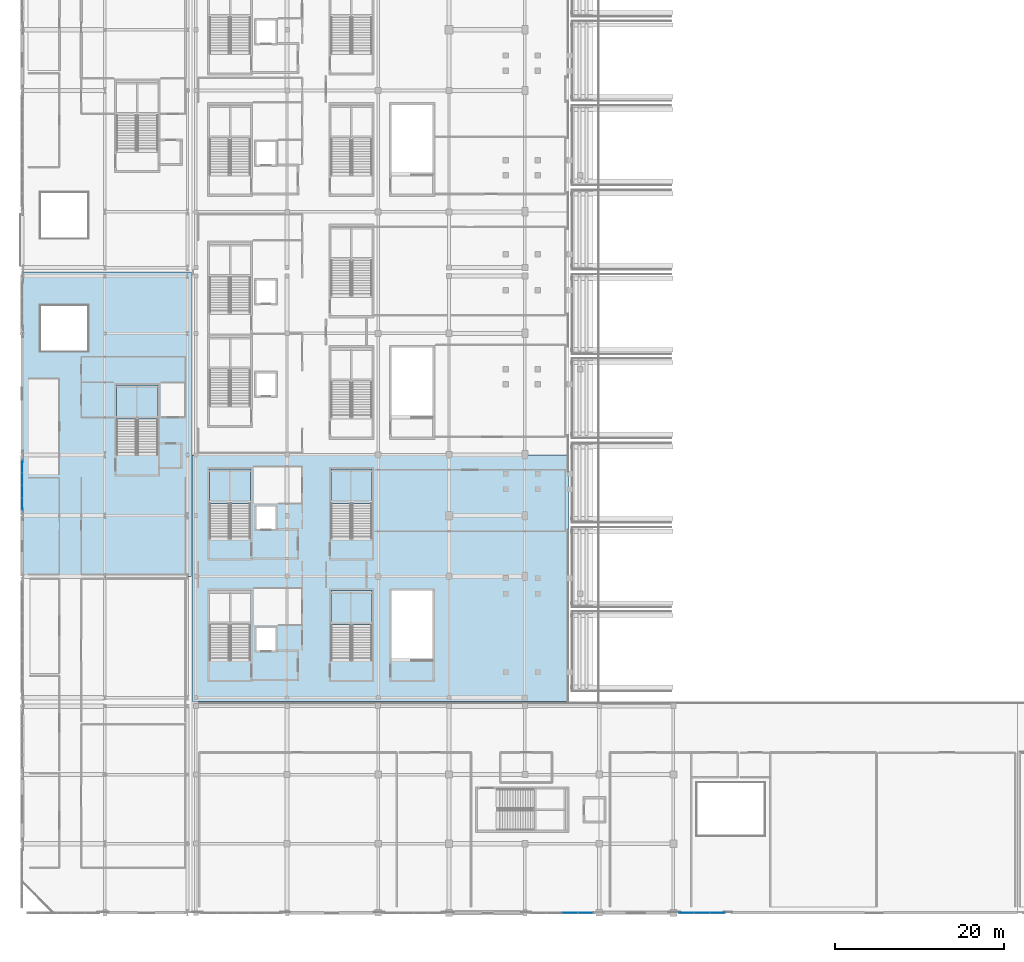
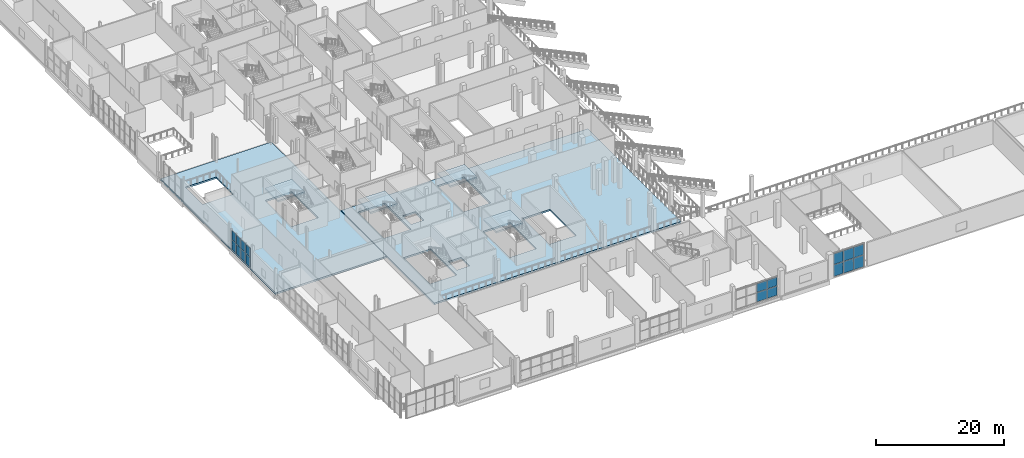
# One storey, part 60 of 129: 18 plates, 6 slabs, 7 elements without a shape of their own.
"""IFC4 building model written with IfcOpenShell, lengths in metres."""

import ifcopenshell
import ifcopenshell.guid

model = None  # the IFC model being written
_history = None  # IfcOwnerHistory: only IFC2X3 demands one
_inside = {}  # id of a spatial element -> (the spatial element, [elements in it])
_under = {}  # id of a project, library or spatial element -> (it, [spatial elements below it])
_declared = {}  # id of a project -> (the project, [libraries it declares])
_typed = {}  # id of a type object -> (the type object, [elements of that type])
_made_of = {}  # id of a material, layer set ... -> (it, [elements and type objects made of it])


def new_model(schema):
    """Start an empty IFC model of exactly this schema.

    Asked for "IFC4X3", IfcOpenShell would pick the latest addendum, in which some entities
    have other attributes; the version numbers below select the first issue.
    IFC2X3 requires an IfcOwnerHistory on every rooted entity: one is made here for all.
    """
    global model, _history
    if schema == "IFC4X3":
        model = ifcopenshell.file(schema_version=(4, 3, 0, 0))
    else:
        model = ifcopenshell.file(schema=schema)
    _inside.clear()
    _under.clear()
    _declared.clear()
    _typed.clear()
    _made_of.clear()
    _history = None
    if model.schema == "IFC2X3":
        org = make("IfcOrganization", Name="unknown")
        user = make(
            "IfcPersonAndOrganization",
            ThePerson=make("IfcPerson", FamilyName="unknown"),
            TheOrganization=org,
        )
        app = make(
            "IfcApplication",
            ApplicationDeveloper=org,
            Version="unknown",
            ApplicationFullName="unknown",
            ApplicationIdentifier="unknown",
        )
        _history = make(
            "IfcOwnerHistory",
            OwningUser=user,
            OwningApplication=app,
            ChangeAction="ADDED",
            CreationDate=0,
        )
    return model


def make(cls, **values):
    """One entity of the class cls with the attributes given. An attribute that is None is left unset."""
    return model.create_entity(
        cls, **{name: value for name, value in values.items() if value is not None}
    )


def rooted(cls, **values):
    """An entity with a GlobalId (a new one), such as an element, a storey or a relation."""
    return make(cls, GlobalId=ifcopenshell.guid.new(), OwnerHistory=_history, **values)


def si_unit(unit_type, name, prefix=None):
    """IfcSIUnit, for example si_unit("LENGTHUNIT", "METRE", prefix="MILLI")."""
    return make("IfcSIUnit", UnitType=unit_type, Prefix=prefix, Name=name)


def assignment(units):
    """IfcUnitAssignment: the units of a project."""
    return None if units is None else make("IfcUnitAssignment", Units=units)


def point(xyz):
    """IfcCartesianPoint."""
    return None if xyz is None else make("IfcCartesianPoint", Coordinates=xyz)


def direction(xyz):
    """IfcDirection."""
    return None if xyz is None else make("IfcDirection", DirectionRatios=xyz)


def frame(location, z_axis=None, x_axis=None):
    """IfcAxis2Placement3D, a coordinate frame: its origin and axes. An axis left out is left unset."""
    return make(
        "IfcAxis2Placement3D",
        Location=point(location),
        Axis=direction(z_axis),
        RefDirection=direction(x_axis),
    )


def frame_2d(location, x_axis=None):
    """IfcAxis2Placement2D, a coordinate frame in the plane: its origin and x axis."""
    return make(
        "IfcAxis2Placement2D", Location=point(location), RefDirection=direction(x_axis)
    )


def origin():
    """The frame at (0, 0, 0) with its axes left unset."""
    return frame((0.0, 0.0, 0.0))


def origin_2d():
    """The frame at (0, 0) in the plane with its x axis left unset."""
    return frame_2d((0.0, 0.0))


def place(relative_to, where):
    """IfcLocalPlacement: puts the frame where relative to a parent placement (None: the world)."""
    return make(
        "IfcLocalPlacement", PlacementRelTo=relative_to, RelativePlacement=where
    )


def context(
    kind, dimensions, precision=None, world=None, true_north=None, identifier=None
):
    """IfcGeometricRepresentationContext, for example the 3D "Model" context."""
    return make(
        "IfcGeometricRepresentationContext",
        ContextIdentifier=identifier,
        ContextType=kind,
        CoordinateSpaceDimension=dimensions,
        Precision=precision,
        WorldCoordinateSystem=world,
        TrueNorth=true_north,
    )


def subcontext(parent, identifier, kind, view, scale=None):
    """IfcGeometricRepresentationSubContext, for example "Body" below "Model"."""
    return make(
        "IfcGeometricRepresentationSubContext",
        ContextIdentifier=identifier,
        ContextType=kind,
        ParentContext=parent,
        TargetScale=scale,
        TargetView=view,
    )


def project(units=None, contexts=None):
    """IfcProject with its units and contexts."""
    return rooted(
        "IfcProject",
        Name="project",
        RepresentationContexts=contexts,
        UnitsInContext=assignment(units),
    )


def spatial(cls, under=None, at=None, **own):
    """A site, building, storey or space (cls), placed at a placement, below another one or the project."""
    s = rooted(cls, ObjectPlacement=at, **own)
    if under is not None:
        _under.setdefault(under.id(), (under, []))[1].append(s)
    return s


def polyline(points):
    """IfcPolyline through the points."""
    return make("IfcPolyline", Points=[point(p) for p in points])


def profile(cls, at=None, kind="AREA", **sizes):
    """A parametric profile (cls). Its sizes go by their IFC names, for example OverallWidth=200.0."""
    return make(cls, ProfileType=kind, Position=at, **sizes)


def rectangle(**sizes):
    """IfcRectangleProfileDef."""
    return profile("IfcRectangleProfileDef", **sizes)


def outline(outer, holes=None, kind="AREA"):
    """IfcArbitraryClosedProfileDef: a profile drawn as a closed curve; with holes, ...WithVoids."""
    if holes is None:
        return make("IfcArbitraryClosedProfileDef", ProfileType=kind, OuterCurve=outer)
    return make(
        "IfcArbitraryProfileDefWithVoids",
        ProfileType=kind,
        OuterCurve=outer,
        InnerCurves=holes,
    )


def extrude(swept, where, along, depth):
    """IfcExtrudedAreaSolid: the profile swept, set in the frame where, extruded along a direction by depth."""
    return make(
        "IfcExtrudedAreaSolid",
        SweptArea=swept,
        Position=where,
        ExtrudedDirection=direction(along),
        Depth=depth,
    )


def shape(context_of_items, identifier, shape_type, items):
    """IfcShapeRepresentation: the items that make up one representation, for example the "Body"."""
    return make(
        "IfcShapeRepresentation",
        ContextOfItems=context_of_items,
        RepresentationIdentifier=identifier,
        RepresentationType=shape_type,
        Items=items,
    )


def material(Name=None, Category=None):
    """IfcMaterial."""
    return make("IfcMaterial", Name=Name, Category=Category)


def layer(
    of_material, thickness, ventilated=None, Name=None, Category=None, Priority=None
):
    """IfcMaterialLayer: one layer of a wall or slab, of a material (None: an air gap)."""
    return make(
        "IfcMaterialLayer",
        Material=of_material,
        LayerThickness=thickness,
        IsVentilated=ventilated,
        Name=Name,
        Category=Category,
        Priority=Priority,
    )


def layer_set(layers, Name=None):
    """IfcMaterialLayerSet."""
    return make("IfcMaterialLayerSet", MaterialLayers=layers, LayerSetName=Name)


def made_of(thing, what):
    """Note that an element or type object is made of a material, layer set ...; save() writes the relation."""
    if what is not None:
        _made_of.setdefault(what.id(), (what, []))[1].append(thing)
    return thing


def type_object(cls, material=None, **own):
    """A type object (cls), such as IfcWallType, which elements share."""
    return made_of(rooted(cls, **own), material)


def element(
    cls,
    number,
    at=None,
    inside=None,
    cuts=None,
    type_object=None,
    material=None,
    context=None,
    identifier="Body",
    shape_type=None,
    held_by="IfcProductDefinitionShape",
    body=None,
    shapes=None,
    **own,
):
    """One element of the class cls, such as IfcWall. Its Tag is "e" and its number.

    at: its placement. inside: the storey or other place that contains it. cuts: it is an
    opening in that element (IfcRelVoidsElement). A single representation is given by context,
    identifier, shape_type and body (its items); several are given by shapes. held_by: the class
    of the entity that holds the representations. save() writes the other relations.
    """
    e = rooted(cls, Tag="e%d" % number, ObjectPlacement=at, **own)
    if body is not None:
        shapes = [shape(context, identifier, shape_type, body)]
    if shapes is not None:
        e.Representation = make(held_by, Representations=shapes)
    if inside is not None:
        _inside.setdefault(inside.id(), (inside, []))[1].append(e)
    if cuts is not None:
        rooted(
            "IfcRelVoidsElement", RelatingBuildingElement=cuts, RelatedOpeningElement=e
        )
    if type_object is not None:
        _typed.setdefault(type_object.id(), (type_object, []))[1].append(e)
    return made_of(e, material)


def aggregate(whole, parts):
    """IfcRelAggregates: a whole, such as a stair, and the parts it consists of."""
    return rooted("IfcRelAggregates", RelatingObject=whole, RelatedObjects=parts)


def save(model, path):
    """Write the relations noted so far, then the file.

    IfcRelAggregates (storeys below a building ...), IfcRelContainedInSpatialStructure (elements
    in a storey), IfcRelDefinesByType, IfcRelAssociatesMaterial and IfcRelDeclares: one each for
    every whole, place, type object, material and project.
    """
    for whole, parts in _under.values():
        aggregate(whole, parts)
    for where, things in _inside.values():
        rooted(
            "IfcRelContainedInSpatialStructure",
            RelatedElements=things,
            RelatingStructure=where,
        )
    for kind, things in _typed.values():
        rooted("IfcRelDefinesByType", RelatedObjects=things, RelatingType=kind)
    for what, things in _made_of.values():
        rooted("IfcRelAssociatesMaterial", RelatedObjects=things, RelatingMaterial=what)
    for by, libraries in _declared.values():
        rooted("IfcRelDeclares", RelatingContext=by, RelatedDefinitions=libraries)
    model.write(path)


model = new_model("IFC4")

# Units and contexts
model_context = context("Model", 3, precision=1e-05, world=origin(), true_north=direction((0.0, 1.0)))
body_context = subcontext(model_context, "Body", "Model", "MODEL_VIEW")
ifc_project = project(units=[si_unit("LENGTHUNIT", "METRE"), si_unit("AREAUNIT", "SQUARE_METRE"), si_unit("VOLUMEUNIT", "CUBIC_METRE"), si_unit("PLANEANGLEUNIT", "RADIAN"), si_unit("MASSUNIT", "GRAM", prefix="KILO")], contexts=[model_context])

# Site, building, storey
site_placement = place(None, origin())
site = spatial("IfcSite", under=ifc_project, at=site_placement, CompositionType="ELEMENT")
building_placement = place(site_placement, origin())
building = spatial("IfcBuilding", under=site, at=building_placement, Name="Koshinbarg Plaza Stadium", CompositionType="ELEMENT")
storey_placement = place(building_placement, frame((0.0, 0.0, 5.39990234375)))
storey = spatial("IfcBuildingStorey", under=building, at=storey_placement, Name="L01", CompositionType="ELEMENT", Elevation=5.39990234375)

# Curtain wall, plates
ifc_material_1 = material(Name="Thermally broken anodised aluminium and low-E double glazing", Category="aluminium")
curtain_wall_type_1 = type_object("IfcCurtainWallType", Name="CW-SYS-05", PredefinedType="NOTDEFINED", material=ifc_material_1)
curtain_wall_1_placement = place(storey_placement, origin())
curtain_wall_1 = element("IfcCurtainWall", 1, at=curtain_wall_1_placement, inside=storey, type_object=curtain_wall_type_1, Name="L01 unitised curtain wall CW-L01-004", PredefinedType="NOTDEFINED")
ifc_material_2 = material(Name="Solar-control low-E double glazing unit", Category="glass")
ifc_layer_1 = layer(ifc_material_2, 0.028076171875)
ifc_layer_set_1 = layer_set([ifc_layer_1], Name="Solar-control low-E double glazing unit")
plate_type_1 = type_object("IfcPlateType", Name="CW-PNL-28", PredefinedType="CURTAIN_PANEL", material=ifc_layer_set_1)
plate_1_placement = place(storey_placement, frame((4.0, 48.47998046875, 0.06005859375), z_axis=(0.0, 0.0, 1.0), x_axis=(0.0, 1.0, 0.0)))
plate_1 = element("IfcPlate", 2, at=plate_1_placement, type_object=plate_type_1, Name="CW05 panel 1.1", PredefinedType="CURTAIN_PANEL", context=body_context, shape_type="SweptSolid", body=[
    extrude(rectangle(XDim=1.39990234375, YDim=0.028076171875, at=origin_2d()), origin(), (0.0, 0.0, 1.0), 1.87548828125),
])
plate_2_placement = place(storey_placement, frame((4.0, 48.47998046875, 1.99560546875), z_axis=(0.0, 0.0, 1.0), x_axis=(0.0, 1.0, 0.0)))
plate_2 = element("IfcPlate", 3, at=plate_2_placement, type_object=plate_type_1, Name="CW05 panel 1.2", PredefinedType="CURTAIN_PANEL", context=body_context, shape_type="SweptSolid", body=[
    extrude(rectangle(XDim=1.39990234375, YDim=0.028076171875, at=origin_2d()), origin(), (0.0, 0.0, 1.0), 1.724365234375),
])
plate_3_placement = place(storey_placement, frame((4.0, 49.955078125, 0.06005859375), z_axis=(0.0, 0.0, 1.0), x_axis=(0.0, 1.0, 0.0)))
plate_3 = element("IfcPlate", 4, at=plate_3_placement, type_object=plate_type_1, Name="CW05 panel 2.1", PredefinedType="CURTAIN_PANEL", context=body_context, shape_type="SweptSolid", body=[
    extrude(rectangle(XDim=1.429931640625, YDim=0.028076171875, at=origin_2d()), origin(), (0.0, 0.0, 1.0), 1.87548828125),
])
plate_4_placement = place(storey_placement, frame((4.0, 49.955078125, 1.99560546875), z_axis=(0.0, 0.0, 1.0), x_axis=(0.0, 1.0, 0.0)))
plate_4 = element("IfcPlate", 5, at=plate_4_placement, type_object=plate_type_1, Name="CW05 panel 2.2", PredefinedType="CURTAIN_PANEL", context=body_context, shape_type="SweptSolid", body=[
    extrude(rectangle(XDim=1.429931640625, YDim=0.028076171875, at=origin_2d()), origin(), (0.0, 0.0, 1.0), 1.724365234375),
])
plate_5_placement = place(storey_placement, frame((4.0, 51.445068359375, 0.06005859375), z_axis=(0.0, 0.0, 1.0), x_axis=(0.0, 1.0, 0.0)))
plate_5 = element("IfcPlate", 6, at=plate_5_placement, type_object=plate_type_1, Name="CW05 panel 3.1", PredefinedType="CURTAIN_PANEL", context=body_context, shape_type="SweptSolid", body=[
    extrude(rectangle(XDim=1.429931640625, YDim=0.028076171875, at=origin_2d()), origin(), (0.0, 0.0, 1.0), 1.87548828125),
])
plate_6_placement = place(storey_placement, frame((4.0, 51.445068359375, 1.99560546875), z_axis=(0.0, 0.0, 1.0), x_axis=(0.0, 1.0, 0.0)))
plate_6 = element("IfcPlate", 7, at=plate_6_placement, type_object=plate_type_1, Name="CW05 panel 3.2", PredefinedType="CURTAIN_PANEL", context=body_context, shape_type="SweptSolid", body=[
    extrude(rectangle(XDim=1.429931640625, YDim=0.028076171875, at=origin_2d()), origin(), (0.0, 0.0, 1.0), 1.724365234375),
])
plate_7_placement = place(storey_placement, frame((4.0, 52.919921875, 0.06005859375), z_axis=(0.0, 0.0, 1.0), x_axis=(0.0, 1.0, 0.0)))
plate_7 = element("IfcPlate", 8, at=plate_7_placement, type_object=plate_type_1, Name="CW05 panel 4.1", PredefinedType="CURTAIN_PANEL", context=body_context, shape_type="SweptSolid", body=[
    extrude(rectangle(XDim=1.39990234375, YDim=0.028076171875, at=origin_2d()), origin(), (0.0, 0.0, 1.0), 1.87548828125),
])
plate_8_placement = place(storey_placement, frame((4.0, 52.919921875, 1.99560546875), z_axis=(0.0, 0.0, 1.0), x_axis=(0.0, 1.0, 0.0)))
plate_8 = element("IfcPlate", 9, at=plate_8_placement, type_object=plate_type_1, Name="CW05 panel 4.2", PredefinedType="CURTAIN_PANEL", context=body_context, shape_type="SweptSolid", body=[
    extrude(rectangle(XDim=1.39990234375, YDim=0.028076171875, at=origin_2d()), origin(), (0.0, 0.0, 1.0), 1.724365234375),
])
aggregate(curtain_wall_1, [plate_1, plate_2, plate_3, plate_4, plate_5, plate_6, plate_7, plate_8])

curtain_wall_type_2 = type_object("IfcCurtainWallType", Name="CW-SYS-01", PredefinedType="NOTDEFINED", material=ifc_material_1)
curtain_wall_2_placement = place(storey_placement, origin())
curtain_wall_2 = element("IfcCurtainWall", 10, at=curtain_wall_2_placement, inside=storey, type_object=curtain_wall_type_2, Name="L01 unitised curtain wall CW-L01-032", PredefinedType="NOTDEFINED")
plate_9_placement = place(storey_placement, frame((86.438232421875, 0.0, 0.06005859375), z_axis=(0.0, 0.0, 1.0), x_axis=(-1.0, 0.0, 0.0)))
plate_9 = element("IfcPlate", 11, at=plate_9_placement, type_object=plate_type_1, Name="CW01 panel 1.1", PredefinedType="CURTAIN_PANEL", context=body_context, shape_type="SweptSolid", body=[
    extrude(rectangle(XDim=1.763427734375, YDim=0.028076171875, at=origin_2d()), origin(), (0.0, 0.0, 1.0), 2.239501953125),
])
plate_10_placement = place(storey_placement, frame((86.438232421875, 0.0, 2.35986328125), z_axis=(0.0, 0.0, 1.0), x_axis=(-1.0, 0.0, 0.0)))
plate_10 = element("IfcPlate", 12, at=plate_10_placement, type_object=plate_type_1, Name="CW01 panel 1.2", PredefinedType="CURTAIN_PANEL", context=body_context, shape_type="SweptSolid", body=[
    extrude(rectangle(XDim=1.763427734375, YDim=0.028076171875, at=origin_2d()), origin(), (0.0, 0.0, 1.0), 2.060302734375),
])
plate_11_placement = place(storey_placement, frame((84.60009765625, 0.0, 0.06005859375), z_axis=(0.0, 0.0, 1.0), x_axis=(-1.0, 0.0, 0.0)))
plate_11 = element("IfcPlate", 13, at=plate_11_placement, type_object=plate_type_1, Name="CW01 panel 2.1", PredefinedType="CURTAIN_PANEL", context=body_context, shape_type="SweptSolid", body=[
    extrude(rectangle(XDim=1.793212890625, YDim=0.028076171875, at=origin_2d()), origin(), (0.0, 0.0, 1.0), 2.239501953125),
])
plate_12_placement = place(storey_placement, frame((84.60009765625, 0.0, 2.35986328125), z_axis=(0.0, 0.0, 1.0), x_axis=(-1.0, 0.0, 0.0)))
plate_12 = element("IfcPlate", 14, at=plate_12_placement, type_object=plate_type_1, Name="CW01 panel 2.2", PredefinedType="CURTAIN_PANEL", context=body_context, shape_type="SweptSolid", body=[
    extrude(rectangle(XDim=1.793212890625, YDim=0.028076171875, at=origin_2d()), origin(), (0.0, 0.0, 1.0), 2.060302734375),
])
plate_13_placement = place(storey_placement, frame((82.76171875, 0.0, 0.06005859375), z_axis=(0.0, 0.0, 1.0), x_axis=(-1.0, 0.0, 0.0)))
plate_13 = element("IfcPlate", 15, at=plate_13_placement, type_object=plate_type_1, Name="CW01 panel 3.1", PredefinedType="CURTAIN_PANEL", context=body_context, shape_type="SweptSolid", body=[
    extrude(rectangle(XDim=1.763427734375, YDim=0.028076171875, at=origin_2d()), origin(), (0.0, 0.0, 1.0), 2.239501953125),
])
plate_14_placement = place(storey_placement, frame((82.76171875, 0.0, 2.35986328125), z_axis=(0.0, 0.0, 1.0), x_axis=(-1.0, 0.0, 0.0)))
plate_14 = element("IfcPlate", 16, at=plate_14_placement, type_object=plate_type_1, Name="CW01 panel 3.2", PredefinedType="CURTAIN_PANEL", context=body_context, shape_type="SweptSolid", body=[
    extrude(rectangle(XDim=1.763427734375, YDim=0.028076171875, at=origin_2d()), origin(), (0.0, 0.0, 1.0), 2.060302734375),
])
aggregate(curtain_wall_2, [plate_9, plate_10, plate_11, plate_12, plate_13, plate_14])

curtain_wall_type_3 = type_object("IfcCurtainWallType", Name="CW-SYS-02", PredefinedType="NOTDEFINED", material=ifc_material_1)
curtain_wall_3_placement = place(storey_placement, origin())
curtain_wall_3 = element("IfcCurtainWall", 17, at=curtain_wall_3_placement, inside=storey, type_object=curtain_wall_type_3, Name="L01 unitised curtain wall CW-L01-033", PredefinedType="NOTDEFINED")
ifc_material_3 = material(Name="Acoustic solar-control double glazing unit", Category="glass")
ifc_layer_2 = layer(ifc_material_3, 0.031982421875)
ifc_layer_set_2 = layer_set([ifc_layer_2], Name="Acoustic solar-control double glazing unit")
plate_type_2 = type_object("IfcPlateType", Name="CW-PNL-32", PredefinedType="CURTAIN_PANEL", material=ifc_layer_set_2)
plate_15_placement = place(storey_placement, frame((70.820068359375, 0.0, 0.06005859375), z_axis=(0.0, 0.0, 1.0), x_axis=(-1.0, 0.0, 0.0)))
plate_15 = element("IfcPlate", 18, at=plate_15_placement, type_object=plate_type_2, Name="CW02 panel 1.1", PredefinedType="CURTAIN_PANEL", context=body_context, shape_type="SweptSolid", body=[
    extrude(rectangle(XDim=1.800048828125, YDim=0.031982421875, at=origin_2d()), origin(), (0.0, 0.0, 1.0), 1.797607421875),
])
plate_16_placement = place(storey_placement, frame((70.820068359375, 0.0, 1.917724609375), z_axis=(0.0, 0.0, 1.0), x_axis=(-1.0, 0.0, 0.0)))
plate_16 = element("IfcPlate", 19, at=plate_16_placement, type_object=plate_type_2, Name="CW02 panel 1.2", PredefinedType="CURTAIN_PANEL", context=body_context, shape_type="SweptSolid", body=[
    extrude(rectangle(XDim=1.800048828125, YDim=0.031982421875, at=origin_2d()), origin(), (0.0, 0.0, 1.0), 1.65234375),
])
plate_17_placement = place(storey_placement, frame((68.945068359375, 0.0, 0.06005859375), z_axis=(0.0, 0.0, 1.0), x_axis=(-1.0, 0.0, 0.0)))
plate_17 = element("IfcPlate", 20, at=plate_17_placement, type_object=plate_type_2, Name="CW02 panel 2.1", PredefinedType="CURTAIN_PANEL", context=body_context, shape_type="SweptSolid", body=[
    extrude(rectangle(XDim=1.830078125, YDim=0.031982421875, at=origin_2d()), origin(), (0.0, 0.0, 1.0), 1.797607421875),
])
plate_18_placement = place(storey_placement, frame((68.945068359375, 0.0, 1.917724609375), z_axis=(0.0, 0.0, 1.0), x_axis=(-1.0, 0.0, 0.0)))
plate_18 = element("IfcPlate", 21, at=plate_18_placement, type_object=plate_type_2, Name="CW02 panel 2.2", PredefinedType="CURTAIN_PANEL", context=body_context, shape_type="SweptSolid", body=[
    extrude(rectangle(XDim=1.830078125, YDim=0.031982421875, at=origin_2d()), origin(), (0.0, 0.0, 1.0), 1.65234375),
])
aggregate(curtain_wall_3, [plate_15, plate_16, plate_17, plate_18])

# Slabs
ifc_material_4 = material(Name="Concrete C35/45", Category="concrete")
ifc_layer_3 = layer(ifc_material_4, 0.320068359375)
ifc_layer_set_3 = layer_set([ifc_layer_3], Name="Concrete C35/45")
slab_type_1 = type_object("IfcSlabType", Name="SL-FLR-320", PredefinedType="FLOOR", material=ifc_layer_set_3)
slab_1_placement = place(storey_placement, frame((0.0, 0.0, -0.31982421875)))
element("IfcSlab", 22, at=slab_1_placement, inside=storey, type_object=slab_type_1, Name="L01 V1 structural slab 1", PredefinedType="FLOOR", context=body_context, shape_type="SweptSolid", body=[
    extrude(outline(polyline([(24.14501953125, 25.044921875), (68.800048828125, 25.044921875), (68.800048828125, 54.300048828125), (24.14501953125, 54.300048828125), (24.14501953125, 25.044921875)]), holes=[polyline([(31.070068359375, 29.9599609375), (31.070068359375, 38.199951171875), (26.199951171875, 38.199951171875), (26.199951171875, 29.9599609375), (31.070068359375, 29.9599609375)]), polyline([(31.75, 31.10009765625), (34.050048828125, 31.10009765625), (34.050048828125, 33.800048828125), (31.75, 33.800048828125), (31.75, 31.10009765625)]), polyline([(31.070068359375, 44.360107421875), (31.070068359375, 52.60009765625), (26.199951171875, 52.60009765625), (26.199951171875, 44.360107421875), (31.070068359375, 44.360107421875)]), polyline([(31.75, 45.5), (34.050048828125, 45.5), (34.050048828125, 48.199951171875), (31.75, 48.199951171875), (31.75, 45.5)]), polyline([(45.469970703125, 29.9599609375), (45.469970703125, 38.199951171875), (40.60009765625, 38.199951171875), (40.60009765625, 29.9599609375), (45.469970703125, 29.9599609375)]), polyline([(45.469970703125, 44.360107421875), (45.469970703125, 52.60009765625), (40.60009765625, 52.60009765625), (40.60009765625, 44.360107421875), (45.469970703125, 44.360107421875)]), polyline([(52.669921875, 29.9599609375), (52.669921875, 38.199951171875), (47.800048828125, 38.199951171875), (47.800048828125, 29.9599609375), (52.669921875, 29.9599609375)])]), origin(), (0.0, 0.0, 1.0), 0.31982421875),
])
slab_2_placement = place(storey_placement, frame((0.0, 0.0, -0.31982421875)))
element("IfcSlab", 23, at=slab_2_placement, inside=storey, type_object=slab_type_1, Name="L01 V6 structural slab 22", PredefinedType="FLOOR", context=body_context, shape_type="SweptSolid", body=[
    extrude(outline(polyline([(4.0, 39.89990234375), (24.054931640625, 39.89990234375), (24.054931640625, 75.955078125), (4.0, 75.955078125), (4.0, 39.89990234375)]), holes=[polyline([(20.070068359375, 54.360107421875), (20.070068359375, 62.60009765625), (15.199951171875, 62.60009765625), (15.199951171875, 54.360107421875), (20.070068359375, 54.360107421875)]), polyline([(6.199951171875, 66.60009765625), (11.800048828125, 66.60009765625), (11.800048828125, 72.0), (6.199951171875, 72.0), (6.199951171875, 66.60009765625)])]), origin(), (0.0, 0.0, 1.0), 0.31982421875),
])

# Stair, slab
stair_type_1 = type_object("IfcStairType", Name="ST-CORE-48", PredefinedType="HALF_TURN_STAIR", material=ifc_material_4)
stair_1_placement = place(storey_placement, origin())
stair_1 = element("IfcStair", 24, at=stair_1_placement, inside=storey, type_object=stair_type_1, Name="L01 Protected Exit Stair C02", PredefinedType="HALF_TURN_STAIR")
ifc_layer_4 = layer(ifc_material_4, 0.320068359375)
ifc_layer_set_4 = layer_set([ifc_layer_4], Name="Concrete C35/45")
slab_type_2 = type_object("IfcSlabType", Name="SL-STLAND-280", PredefinedType="LANDING", material=ifc_layer_set_4)
slab_3_placement = place(storey_placement, frame((0.0, 0.0, 2.080078125)))
slab_3 = element("IfcSlab", 25, at=slab_3_placement, type_object=slab_type_2, Name="L01 Protected Exit Stair C02 landing 008", PredefinedType="LANDING", context=body_context, shape_type="SweptSolid", body=[
    extrude(outline(polyline([(31.070068359375, 48.56005859375), (31.070068359375, 52.60009765625), (26.199951171875, 52.60009765625), (26.199951171875, 48.56005859375), (31.070068359375, 48.56005859375)])), origin(), (0.0, 0.0, 1.0), 0.320068359375),
])
aggregate(stair_1, [slab_3])

stair_2_placement = place(storey_placement, origin())
stair_2 = element("IfcStair", 26, at=stair_2_placement, inside=storey, type_object=stair_type_1, Name="L01 Protected Exit Stair C16", PredefinedType="HALF_TURN_STAIR")
slab_4_placement = place(storey_placement, frame((0.0, 0.0, 2.080078125)))
slab_4 = element("IfcSlab", 27, at=slab_4_placement, type_object=slab_type_2, Name="L01 Protected Exit Stair C16 landing 074", PredefinedType="LANDING", context=body_context, shape_type="SweptSolid", body=[
    extrude(outline(polyline([(20.070068359375, 58.56005859375), (20.070068359375, 62.60009765625), (15.199951171875, 62.60009765625), (15.199951171875, 58.56005859375), (20.070068359375, 58.56005859375)])), origin(), (0.0, 0.0, 1.0), 0.320068359375),
])
aggregate(stair_2, [slab_4])

stair_type_2 = type_object("IfcStairType", Name="ST-VOM-48", PredefinedType="HALF_TURN_STAIR", material=ifc_material_4)
stair_3_placement = place(storey_placement, origin())
stair_3 = element("IfcStair", 28, at=stair_3_placement, inside=storey, type_object=stair_type_2, Name="L01 Upper Vomitory Stair VX01", PredefinedType="HALF_TURN_STAIR")
slab_5_placement = place(storey_placement, frame((0.0, 0.0, 2.080078125)))
slab_5 = element("IfcSlab", 29, at=slab_5_placement, type_object=slab_type_2, Name="L01 Upper Vomitory Stair VX01 landing 076", PredefinedType="LANDING", context=body_context, shape_type="SweptSolid", body=[
    extrude(outline(polyline([(45.469970703125, 34.159912109375), (45.469970703125, 38.199951171875), (40.60009765625, 38.199951171875), (40.60009765625, 34.159912109375), (45.469970703125, 34.159912109375)])), origin(), (0.0, 0.0, 1.0), 0.320068359375),
])
aggregate(stair_3, [slab_5])

stair_4_placement = place(storey_placement, origin())
stair_4 = element("IfcStair", 30, at=stair_4_placement, inside=storey, type_object=stair_type_2, Name="L01 Upper Vomitory Stair VX02", PredefinedType="HALF_TURN_STAIR")
slab_6_placement = place(storey_placement, frame((0.0, 0.0, 2.080078125)))
slab_6 = element("IfcSlab", 31, at=slab_6_placement, type_object=slab_type_2, Name="L01 Upper Vomitory Stair VX02 landing 079", PredefinedType="LANDING", context=body_context, shape_type="SweptSolid", body=[
    extrude(outline(polyline([(45.469970703125, 48.56005859375), (45.469970703125, 52.60009765625), (40.60009765625, 52.60009765625), (40.60009765625, 48.56005859375), (45.469970703125, 48.56005859375)])), origin(), (0.0, 0.0, 1.0), 0.320068359375),
])
aggregate(stair_4, [slab_6])

save(model, "model.ifc")
